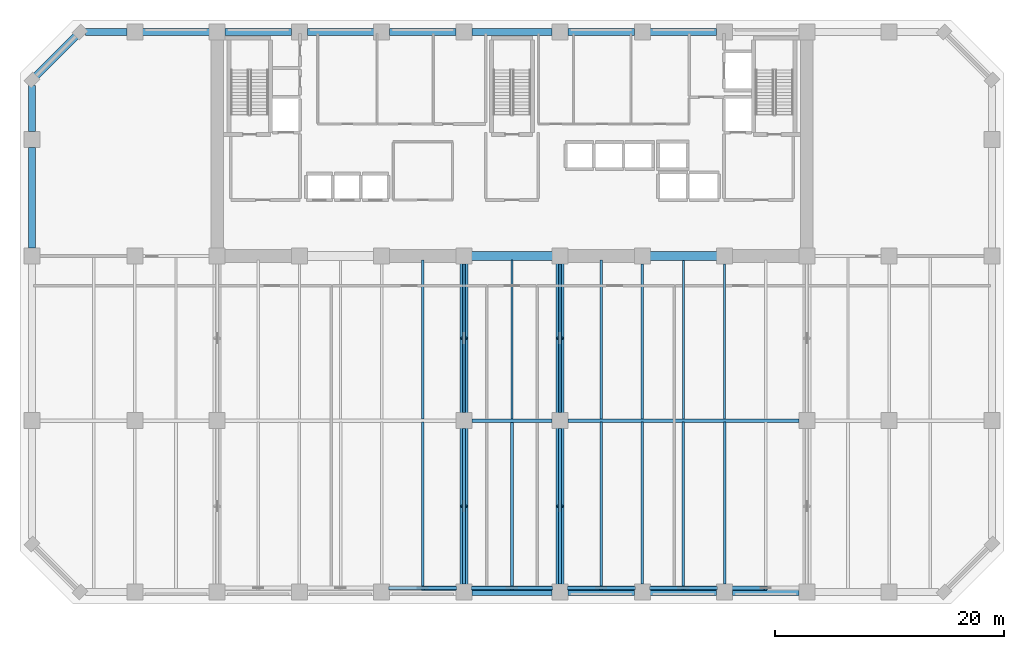
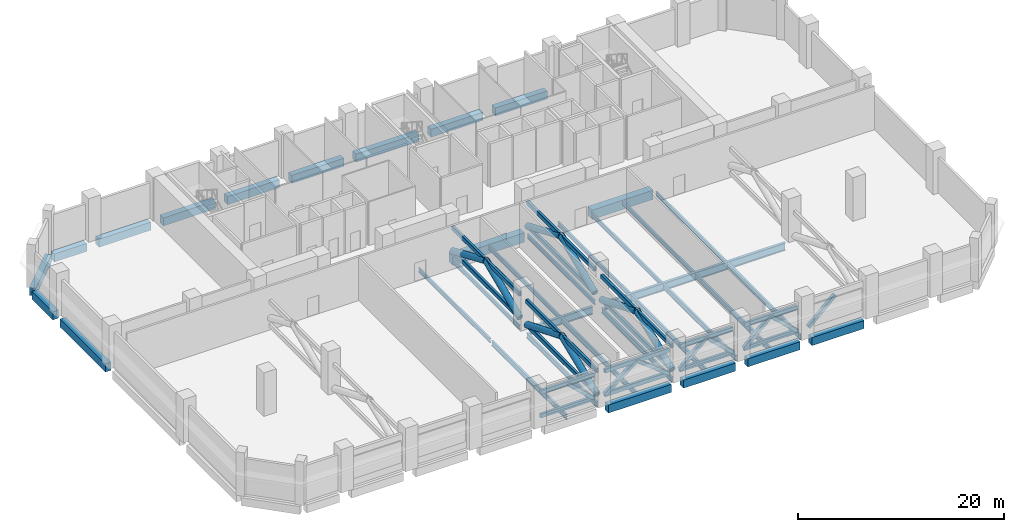
# One storey, part 2 of 15: 35 beams, 32 members.
"""IFC4 building model written with IfcOpenShell, lengths in metres."""

from ifc_helpers import new_model, si_unit, direction, frame, origin, origin_2d, place, context, subcontext, project, spatial, rectangle, hollow_rectangle, hollow_circle, i_section, extrude, material, material_profile, profile_set, type_object, element, save


model = new_model("IFC4")

# Units and contexts
model_context = context("Model", 3, precision=1e-05, world=origin(), true_north=direction((0.0, 1.0)))
body_context = subcontext(model_context, "Body", "Model", "MODEL_VIEW")
ifc_project = project(units=[si_unit("LENGTHUNIT", "METRE"), si_unit("AREAUNIT", "SQUARE_METRE"), si_unit("VOLUMEUNIT", "CUBIC_METRE"), si_unit("PLANEANGLEUNIT", "RADIAN"), si_unit("MASSUNIT", "GRAM", prefix="KILO")], contexts=[model_context])

# Site, building, storey
site_placement = place(None, origin())
site = spatial("IfcSite", under=ifc_project, at=site_placement, CompositionType="ELEMENT")
building_placement = place(site_placement, origin())
building = spatial("IfcBuilding", under=site, at=building_placement, Name="Kaelvorn Grand Hotel", CompositionType="ELEMENT")
storey_placement = place(building_placement, frame((0.0, 0.0, 80.14990234375)))
storey = spatial("IfcBuildingStorey", under=building, at=storey_placement, Name="L18", CompositionType="ELEMENT", Elevation=80.14990234375)

# Beams
ifc_material_1 = material(Name="Steel S460", Category="steel")
ifc_material_profile_1 = material_profile(ifc_material_1, i_section(OverallWidth=0.302001953125, OverallDepth=0.909912109375, WebThickness=0.02099609375, FlangeThickness=0.0400390625, FilletRadius=0.030029296875, at=origin_2d()), Name="HEM 900")
ifc_profile_set_1 = profile_set([ifc_material_profile_1], Name="Steel S460")
beam_type_1 = type_object("IfcBeamType", Name="BM-G-HEM900-S460", PredefinedType="BEAM", material=ifc_profile_set_1)
beam_1_placement = place(storey_placement, frame((38.485107421875, 15.0, -0.804931640625), z_axis=(1.0, 0.0, 0.0), x_axis=(0.0, 1.0, 0.0)))
element("IfcBeam", 1, at=beam_1_placement, inside=storey, type_object=beam_type_1, Name="L18 Primary Spine Steel Girder G-15 04", PredefinedType="BEAM", context=body_context, shape_type="SweptSolid", body=[
    extrude(i_section(OverallWidth=0.302001953125, OverallDepth=0.909912109375, WebThickness=0.02099609375, FlangeThickness=0.0400390625, FilletRadius=0.030029296875, at=origin_2d()), origin(), (0.0, 0.0, 1.0), 7.02978515625),
])
beam_2_placement = place(storey_placement, frame((46.885009765625, 15.0, -0.804931640625), z_axis=(1.0, 0.0, 0.0), x_axis=(0.0, 1.0, 0.0)))
element("IfcBeam", 2, at=beam_2_placement, inside=storey, type_object=beam_type_1, Name="L18 Primary Spine Steel Girder G-15 05", PredefinedType="BEAM", context=body_context, shape_type="SweptSolid", body=[
    extrude(i_section(OverallWidth=0.302001953125, OverallDepth=0.909912109375, WebThickness=0.02099609375, FlangeThickness=0.0400390625, FilletRadius=0.030029296875, at=origin_2d()), origin(), (0.0, 0.0, 1.0), 20.22998046875),
])
ifc_material_2 = material(Name="Steel S355", Category="steel")
ifc_material_profile_2 = material_profile(ifc_material_2, i_section(OverallWidth=0.199951171875, OverallDepth=0.5, WebThickness=0.01025390625, FlangeThickness=0.01611328125, FilletRadius=0.02099609375, at=origin_2d()), Name="IPE 500")
ifc_profile_set_2 = profile_set([ifc_material_profile_2], Name="Steel S355")
beam_type_2 = type_object("IfcBeamType", Name="BM-J-IPE500-S355", PredefinedType="JOIST", material=ifc_profile_set_2)
beam_3_placement = place(storey_placement, frame((34.199951171875, 15.135986328125, -0.599853515625), z_axis=(0.0, 1.0, 0.0), x_axis=(-1.0, 0.0, 0.0)))
element("IfcBeam", 3, at=beam_3_placement, inside=storey, type_object=beam_type_2, Name="L18 Composite Floor Joist JM-10", PredefinedType="JOIST", context=body_context, shape_type="SweptSolid", body=[
    extrude(i_section(OverallWidth=0.199951171875, OverallDepth=0.5, WebThickness=0.01025390625, FlangeThickness=0.01611328125, FilletRadius=0.02099609375, at=origin_2d()), origin(), (0.0, 0.0, 1.0), 13.924072265625),
])
beam_4_placement = place(storey_placement, frame((37.800048828125, 15.68505859375, -0.599853515625), z_axis=(0.0, 1.0, 0.0), x_axis=(-1.0, 0.0, 0.0)))
element("IfcBeam", 4, at=beam_4_placement, inside=storey, type_object=beam_type_2, Name="L18 Composite Floor Joist JM-11", PredefinedType="JOIST", context=body_context, shape_type="SweptSolid", body=[
    extrude(i_section(OverallWidth=0.199951171875, OverallDepth=0.5, WebThickness=0.01025390625, FlangeThickness=0.01611328125, FilletRadius=0.02099609375, at=origin_2d()), origin(), (0.0, 0.0, 1.0), 13.030029296875),
])
beam_5_placement = place(storey_placement, frame((42.0, 15.135986328125, -0.599853515625), z_axis=(0.0, 1.0, 0.0), x_axis=(-1.0, 0.0, 0.0)))
element("IfcBeam", 5, at=beam_5_placement, inside=storey, type_object=beam_type_2, Name="L18 Composite Floor Joist JM-12", PredefinedType="JOIST", context=body_context, shape_type="SweptSolid", body=[
    extrude(i_section(OverallWidth=0.199951171875, OverallDepth=0.5, WebThickness=0.01025390625, FlangeThickness=0.01611328125, FilletRadius=0.02099609375, at=origin_2d()), origin(), (0.0, 0.0, 1.0), 13.924072265625),
])
beam_6_placement = place(storey_placement, frame((46.199951171875, 15.68505859375, -0.599853515625), z_axis=(0.0, 1.0, 0.0), x_axis=(-1.0, 0.0, 0.0)))
element("IfcBeam", 6, at=beam_6_placement, inside=storey, type_object=beam_type_2, Name="L18 Composite Floor Joist JM-13", PredefinedType="JOIST", context=body_context, shape_type="SweptSolid", body=[
    extrude(i_section(OverallWidth=0.199951171875, OverallDepth=0.5, WebThickness=0.01025390625, FlangeThickness=0.01611328125, FilletRadius=0.02099609375, at=origin_2d()), origin(), (0.0, 0.0, 1.0), 13.030029296875),
])
beam_7_placement = place(storey_placement, frame((49.800048828125, 15.135986328125, -0.599853515625), z_axis=(0.0, 1.0, 0.0), x_axis=(-1.0, 0.0, 0.0)))
element("IfcBeam", 7, at=beam_7_placement, inside=storey, type_object=beam_type_2, Name="L18 Composite Floor Joist JM-14", PredefinedType="JOIST", context=body_context, shape_type="SweptSolid", body=[
    extrude(i_section(OverallWidth=0.199951171875, OverallDepth=0.5, WebThickness=0.01025390625, FlangeThickness=0.01611328125, FilletRadius=0.02099609375, at=origin_2d()), origin(), (0.0, 0.0, 1.0), 13.924072265625),
])
beam_8_placement = place(storey_placement, frame((53.39990234375, 15.135986328125, -0.599853515625), z_axis=(0.0, 1.0, 0.0), x_axis=(-1.0, 0.0, 0.0)))
element("IfcBeam", 8, at=beam_8_placement, inside=storey, type_object=beam_type_2, Name="L18 Composite Floor Joist JM-15", PredefinedType="JOIST", context=body_context, shape_type="SweptSolid", body=[
    extrude(i_section(OverallWidth=0.199951171875, OverallDepth=0.5, WebThickness=0.01025390625, FlangeThickness=0.01611328125, FilletRadius=0.02099609375, at=origin_2d()), origin(), (0.0, 0.0, 1.0), 13.5791015625),
])
beam_9_placement = place(storey_placement, frame((57.0, 15.135986328125, -0.599853515625), z_axis=(0.0, 1.0, 0.0), x_axis=(-1.0, 0.0, 0.0)))
element("IfcBeam", 9, at=beam_9_placement, inside=storey, type_object=beam_type_2, Name="L18 Composite Floor Joist JM-16", PredefinedType="JOIST", context=body_context, shape_type="SweptSolid", body=[
    extrude(i_section(OverallWidth=0.199951171875, OverallDepth=0.5, WebThickness=0.01025390625, FlangeThickness=0.01611328125, FilletRadius=0.02099609375, at=origin_2d()), origin(), (0.0, 0.0, 1.0), 13.924072265625),
])
beam_10_placement = place(storey_placement, frame((60.60009765625, 15.135986328125, -0.599853515625), z_axis=(0.0, 1.0, 0.0), x_axis=(-1.0, 0.0, 0.0)))
element("IfcBeam", 10, at=beam_10_placement, inside=storey, type_object=beam_type_2, Name="L18 Composite Floor Joist JM-17", PredefinedType="JOIST", context=body_context, shape_type="SweptSolid", body=[
    extrude(i_section(OverallWidth=0.199951171875, OverallDepth=0.5, WebThickness=0.01025390625, FlangeThickness=0.01611328125, FilletRadius=0.02099609375, at=origin_2d()), origin(), (0.0, 0.0, 1.0), 13.5791015625),
])
ifc_material_profile_3 = material_profile(ifc_material_2, i_section(OverallWidth=0.219970703125, OverallDepth=0.60009765625, WebThickness=0.011962890625, FlangeThickness=0.01904296875, FilletRadius=0.02392578125, at=origin_2d()), Name="IPE 600")
ifc_profile_set_3 = profile_set([ifc_material_profile_3], Name="Steel S355")
beam_type_3 = type_object("IfcBeamType", Name="BM-J-IPE600-S355", PredefinedType="JOIST", material=ifc_profile_set_3)
beam_11_placement = place(storey_placement, frame((34.199951171875, 0.31005859375, -0.64990234375), z_axis=(0.0, 1.0, 0.0), x_axis=(-1.0, 0.0, 0.0)))
element("IfcBeam", 11, at=beam_11_placement, inside=storey, type_object=beam_type_3, Name="L18 Composite Floor Joist JS-10", PredefinedType="JOIST", context=body_context, shape_type="SweptSolid", body=[
    extrude(i_section(OverallWidth=0.219970703125, OverallDepth=0.60009765625, WebThickness=0.011962890625, FlangeThickness=0.01904296875, FilletRadius=0.02392578125, at=origin_2d()), origin(), (0.0, 0.0, 1.0), 14.553955078125),
])
beam_12_placement = place(storey_placement, frame((37.800048828125, 0.68505859375, -0.64990234375), z_axis=(0.0, 1.0, 0.0), x_axis=(-1.0, 0.0, 0.0)))
element("IfcBeam", 12, at=beam_12_placement, inside=storey, type_object=beam_type_3, Name="L18 Composite Floor Joist JS-11", PredefinedType="JOIST", context=body_context, shape_type="SweptSolid", body=[
    extrude(i_section(OverallWidth=0.219970703125, OverallDepth=0.60009765625, WebThickness=0.011962890625, FlangeThickness=0.01904296875, FilletRadius=0.02392578125, at=origin_2d()), origin(), (0.0, 0.0, 1.0), 13.6298828125),
])
beam_13_placement = place(storey_placement, frame((42.0, 0.31005859375, -0.64990234375), z_axis=(0.0, 1.0, 0.0), x_axis=(-1.0, 0.0, 0.0)))
element("IfcBeam", 13, at=beam_13_placement, inside=storey, type_object=beam_type_3, Name="L18 Composite Floor Joist JS-12", PredefinedType="JOIST", context=body_context, shape_type="SweptSolid", body=[
    extrude(i_section(OverallWidth=0.219970703125, OverallDepth=0.60009765625, WebThickness=0.011962890625, FlangeThickness=0.01904296875, FilletRadius=0.02392578125, at=origin_2d()), origin(), (0.0, 0.0, 1.0), 14.553955078125),
])
beam_14_placement = place(storey_placement, frame((46.199951171875, 0.68505859375, -0.64990234375), z_axis=(0.0, 1.0, 0.0), x_axis=(-1.0, 0.0, 0.0)))
element("IfcBeam", 14, at=beam_14_placement, inside=storey, type_object=beam_type_3, Name="L18 Composite Floor Joist JS-13", PredefinedType="JOIST", context=body_context, shape_type="SweptSolid", body=[
    extrude(i_section(OverallWidth=0.219970703125, OverallDepth=0.60009765625, WebThickness=0.011962890625, FlangeThickness=0.01904296875, FilletRadius=0.02392578125, at=origin_2d()), origin(), (0.0, 0.0, 1.0), 13.6298828125),
])
beam_15_placement = place(storey_placement, frame((49.800048828125, 0.31005859375, -0.64990234375), z_axis=(0.0, 1.0, 0.0), x_axis=(-1.0, 0.0, 0.0)))
element("IfcBeam", 15, at=beam_15_placement, inside=storey, type_object=beam_type_3, Name="L18 Composite Floor Joist JS-14", PredefinedType="JOIST", context=body_context, shape_type="SweptSolid", body=[
    extrude(i_section(OverallWidth=0.219970703125, OverallDepth=0.60009765625, WebThickness=0.011962890625, FlangeThickness=0.01904296875, FilletRadius=0.02392578125, at=origin_2d()), origin(), (0.0, 0.0, 1.0), 14.553955078125),
])
beam_16_placement = place(storey_placement, frame((53.39990234375, 0.68505859375, -0.64990234375), z_axis=(0.0, 1.0, 0.0), x_axis=(-1.0, 0.0, 0.0)))
element("IfcBeam", 16, at=beam_16_placement, inside=storey, type_object=beam_type_3, Name="L18 Composite Floor Joist JS-15", PredefinedType="JOIST", context=body_context, shape_type="SweptSolid", body=[
    extrude(i_section(OverallWidth=0.219970703125, OverallDepth=0.60009765625, WebThickness=0.011962890625, FlangeThickness=0.01904296875, FilletRadius=0.02392578125, at=origin_2d()), origin(), (0.0, 0.0, 1.0), 14.178955078125),
])
beam_17_placement = place(storey_placement, frame((57.0, 0.31005859375, -0.64990234375), z_axis=(0.0, 1.0, 0.0), x_axis=(-1.0, 0.0, 0.0)))
element("IfcBeam", 17, at=beam_17_placement, inside=storey, type_object=beam_type_3, Name="L18 Composite Floor Joist JS-16", PredefinedType="JOIST", context=body_context, shape_type="SweptSolid", body=[
    extrude(i_section(OverallWidth=0.219970703125, OverallDepth=0.60009765625, WebThickness=0.011962890625, FlangeThickness=0.01904296875, FilletRadius=0.02392578125, at=origin_2d()), origin(), (0.0, 0.0, 1.0), 14.553955078125),
])
beam_18_placement = place(storey_placement, frame((60.60009765625, 0.68505859375, -0.64990234375), z_axis=(0.0, 1.0, 0.0), x_axis=(-1.0, 0.0, 0.0)))
element("IfcBeam", 18, at=beam_18_placement, inside=storey, type_object=beam_type_3, Name="L18 Composite Floor Joist JS-17", PredefinedType="JOIST", context=body_context, shape_type="SweptSolid", body=[
    extrude(i_section(OverallWidth=0.219970703125, OverallDepth=0.60009765625, WebThickness=0.011962890625, FlangeThickness=0.01904296875, FilletRadius=0.02392578125, at=origin_2d()), origin(), (0.0, 0.0, 1.0), 14.178955078125),
])
ifc_material_3 = material(Name="Concrete C60/75", Category="concrete")
ifc_material_profile_4 = material_profile(ifc_material_3, rectangle(XDim=0.800048828125, YDim=1.10009765625, at=origin_2d()), Name="RC LINTEL 800x1100")
ifc_profile_set_4 = profile_set([ifc_material_profile_4], Name="Concrete C60/75")
beam_type_4 = type_object("IfcBeamType", Name="BM-LIN-800x1100-C60", PredefinedType="LINTEL", material=ifc_profile_set_4)
beam_19_placement = place(storey_placement, frame((37.97998046875, 29.39990234375, -0.89990234375), z_axis=(1.0, 0.0, 0.0), x_axis=(0.0, 1.0, 0.0)))
element("IfcBeam", 19, at=beam_19_placement, inside=storey, type_object=beam_type_4, Name="L18 Rear-Core Coupling Lintel Beam CB1-02", PredefinedType="LINTEL", context=body_context, shape_type="SweptSolid", body=[
    extrude(rectangle(XDim=0.800048828125, YDim=1.10009765625, at=origin_2d()), origin(), (0.0, 0.0, 1.0), 8.0400390625),
])
beam_20_placement = place(storey_placement, frame((53.580078125, 29.39990234375, -0.89990234375), z_axis=(1.0, 0.0, 0.0), x_axis=(0.0, 1.0, 0.0)))
element("IfcBeam", 20, at=beam_20_placement, inside=storey, type_object=beam_type_4, Name="L18 Rear-Core Coupling Lintel Beam CB1-03", PredefinedType="LINTEL", context=body_context, shape_type="SweptSolid", body=[
    extrude(rectangle(XDim=0.800048828125, YDim=1.10009765625, at=origin_2d()), origin(), (0.0, 0.0, 1.0), 6.83984375),
])
ifc_material_profile_5 = material_profile(ifc_material_3, rectangle(XDim=0.64990234375, YDim=0.949951171875, at=origin_2d()), Name="RC SPANDREL 650x950")
ifc_profile_set_5 = profile_set([ifc_material_profile_5], Name="Concrete C60/75")
beam_type_5 = type_object("IfcBeamType", Name="BM-SP-650x950-C60", PredefinedType="SPANDREL", material=ifc_profile_set_5)
beam_21_placement = place(storey_placement, frame((38.485107421875, 0.0, -0.824951171875), z_axis=(1.0, 0.0, 0.0), x_axis=(0.0, 1.0, 0.0)))
element("IfcBeam", 21, at=beam_21_placement, inside=storey, type_object=beam_type_5, Name="L18 South Perimeter Spandrel 06", PredefinedType="SPANDREL", context=body_context, shape_type="SweptSolid", body=[
    extrude(rectangle(XDim=0.64990234375, YDim=0.949951171875, at=origin_2d()), origin(), (0.0, 0.0, 1.0), 7.02978515625),
])
for number, where, z_axis, x_axis, name in (
    (22, (46.885009765625, 0.0, -0.824951171875), (1.0, 0.0, 0.0), (0.0, 1.0, 0.0), "L18 South Perimeter Spandrel 07"),
    (23, (54.0849609375, 0.0, -0.824951171875), (1.0, 0.0, 0.0), (0.0, 1.0, 0.0), "L18 South Perimeter Spandrel 08"),
    (24, (61.284912109375, 0.0, -0.824951171875), (1.0, 0.0, 0.0), (0.0, 1.0, 0.0), "L18 South Perimeter Spandrel 09"),
):
    element("IfcBeam", number, at=place(storey_placement, frame(where, z_axis=z_axis, x_axis=x_axis)), inside=storey, type_object=beam_type_5, Name=name, PredefinedType="SPANDREL", context=body_context, shape_type="SweptSolid", body=[
        extrude(rectangle(XDim=0.64990234375, YDim=0.949951171875, at=origin_2d()), origin(), (0.0, 0.0, 1.0), 5.830078125),
    ])
beam_22_placement = place(storey_placement, frame((4.68505859375, 49.0, -0.824951171875), z_axis=(1.0, 0.0, 0.0), x_axis=(0.0, 1.0, 0.0)))
element("IfcBeam", 25, at=beam_22_placement, inside=storey, type_object=beam_type_5, Name="L18 North Perimeter Spandrel 01", PredefinedType="SPANDREL", context=body_context, shape_type="SweptSolid", body=[
    extrude(rectangle(XDim=0.64990234375, YDim=0.949951171875, at=origin_2d()), origin(), (0.0, 0.0, 1.0), 3.6298828125),
])
beam_23_placement = place(storey_placement, frame((9.68505859375, 49.0, -0.824951171875), z_axis=(1.0, 0.0, 0.0), x_axis=(0.0, 1.0, 0.0)))
element("IfcBeam", 26, at=beam_23_placement, inside=storey, type_object=beam_type_5, Name="L18 North Perimeter Spandrel 02", PredefinedType="SPANDREL", context=body_context, shape_type="SweptSolid", body=[
    extrude(rectangle(XDim=0.64990234375, YDim=0.949951171875, at=origin_2d()), origin(), (0.0, 0.0, 1.0), 5.829833984375),
])
for number, where, z_axis, x_axis, name in (
    (27, (16.885009765625, 49.0, -0.824951171875), (1.0, 0.0, 0.0), (0.0, 1.0, 0.0), "L18 North Perimeter Spandrel 03"),
    (28, (24.0849609375, 49.0, -0.824951171875), (1.0, 0.0, 0.0), (0.0, 1.0, 0.0), "L18 North Perimeter Spandrel 04"),
    (29, (31.284912109375, 49.0, -0.824951171875), (1.0, 0.0, 0.0), (0.0, 1.0, 0.0), "L18 North Perimeter Spandrel 05"),
):
    element("IfcBeam", number, at=place(storey_placement, frame(where, z_axis=z_axis, x_axis=x_axis)), inside=storey, type_object=beam_type_5, Name=name, PredefinedType="SPANDREL", context=body_context, shape_type="SweptSolid", body=[
        extrude(rectangle(XDim=0.64990234375, YDim=0.949951171875, at=origin_2d()), origin(), (0.0, 0.0, 1.0), 5.830078125),
    ])
beam_24_placement = place(storey_placement, frame((38.485107421875, 49.0, -0.824951171875), z_axis=(1.0, 0.0, 0.0), x_axis=(0.0, 1.0, 0.0)))
element("IfcBeam", 30, at=beam_24_placement, inside=storey, type_object=beam_type_5, Name="L18 North Perimeter Spandrel 06", PredefinedType="SPANDREL", context=body_context, shape_type="SweptSolid", body=[
    extrude(rectangle(XDim=0.64990234375, YDim=0.949951171875, at=origin_2d()), origin(), (0.0, 0.0, 1.0), 7.02978515625),
])
for number, where, z_axis, x_axis, name in (
    (31, (46.885009765625, 49.0, -0.824951171875), (1.0, 0.0, 0.0), (0.0, 1.0, 0.0), "L18 North Perimeter Spandrel 07"),
    (32, (54.0849609375, 49.0, -0.824951171875), (1.0, 0.0, 0.0), (0.0, 1.0, 0.0), "L18 North Perimeter Spandrel 08"),
):
    element("IfcBeam", number, at=place(storey_placement, frame(where, z_axis=z_axis, x_axis=x_axis)), inside=storey, type_object=beam_type_5, Name=name, PredefinedType="SPANDREL", context=body_context, shape_type="SweptSolid", body=[
        extrude(rectangle(XDim=0.64990234375, YDim=0.949951171875, at=origin_2d()), origin(), (0.0, 0.0, 1.0), 5.830078125),
    ])
beam_25_placement = place(storey_placement, frame((0.0, 30.0849609375, -0.824951171875), z_axis=(0.0, 1.0, 0.0), x_axis=(-1.0, 0.0, 0.0)))
element("IfcBeam", 33, at=beam_25_placement, inside=storey, type_object=beam_type_5, Name="L18 West Perimeter Spandrel 03", PredefinedType="SPANDREL", context=body_context, shape_type="SweptSolid", body=[
    extrude(rectangle(XDim=0.64990234375, YDim=0.949951171875, at=origin_2d()), origin(), (0.0, 0.0, 1.0), 8.830078125),
])
beam_26_placement = place(storey_placement, frame((0.0, 40.284912109375, -0.824951171875), z_axis=(0.0, 1.0, 0.0), x_axis=(-1.0, 0.0, 0.0)))
element("IfcBeam", 34, at=beam_26_placement, inside=storey, type_object=beam_type_5, Name="L18 West Perimeter Spandrel 04", PredefinedType="SPANDREL", context=body_context, shape_type="SweptSolid", body=[
    extrude(rectangle(XDim=0.64990234375, YDim=0.949951171875, at=origin_2d()), origin(), (0.0, 0.0, 1.0), 4.030029296875),
])
beam_27_placement = place(storey_placement, frame((4.199951171875, 49.0, -0.824951171875), z_axis=(-0.707106781187, -0.707106781187, 0.0), x_axis=(0.707106781187, -0.707106781187, 0.0)))
element("IfcBeam", 35, at=beam_27_placement, inside=storey, type_object=beam_type_5, Name="L18 Chamfer Spandrel Beam 3", PredefinedType="SPANDREL", context=body_context, shape_type="SweptSolid", body=[
    extrude(rectangle(XDim=0.64990234375, YDim=0.949951171875, at=origin_2d()), origin(), (0.0, 0.0, 1.0), 5.939697265625),
])

# Members
ifc_material_profile_6 = material_profile(ifc_material_1, hollow_rectangle(XDim=0.39990234375, YDim=0.39990234375, WallThickness=0.02001953125, InnerFilletRadius=0.02001953125, OuterFilletRadius=0.0400390625, at=origin_2d()), Name="SHS 400x400x20.0")
ifc_profile_set_6 = profile_set([ifc_material_profile_6], Name="Steel S460")
member_type_1 = type_object("IfcMemberType", Name="MB-BT-BRACE-SHS400", PredefinedType="BRACE", material=ifc_profile_set_6)
member_1_placement = place(storey_placement, frame((34.199951171875, 0.340087890625, 3.35009765625), z_axis=(0.729353016021, 0.0, -0.684137543203), x_axis=(0.0, 1.0, 0.0)))
element("IfcMember", 36, at=member_1_placement, inside=storey, type_object=member_type_1, Name="L18 Belt Truss Brace R3", PredefinedType="BRACE", context=body_context, shape_type="SweptSolid", body=[
    extrude(hollow_rectangle(XDim=0.39990234375, YDim=0.39990234375, WallThickness=0.02001953125, InnerFilletRadius=0.02001953125, OuterFilletRadius=0.0400390625, at=origin_2d()), origin(), (0.0, 0.0, 1.0), 4.0927734375),
])
for number, where, z_axis, x_axis, name in (
    (37, (38.4150390625, 0.340087890625, 0.550048828125), (0.788099226845, 0.0, 0.615548217971), (0.0, 1.0, 0.0), "L18 Belt Truss Brace L4"),
    (38, (42.0, 0.340087890625, 3.35009765625), (0.788099226845, 0.0, -0.615548217971), (0.0, 1.0, 0.0), "L18 Belt Truss Brace R4"),
):
    element("IfcMember", number, at=place(storey_placement, frame(where, z_axis=z_axis, x_axis=x_axis)), inside=storey, type_object=member_type_1, Name=name, PredefinedType="BRACE", context=body_context, shape_type="SweptSolid", body=[
        extrude(hollow_rectangle(XDim=0.39990234375, YDim=0.39990234375, WallThickness=0.02001953125, InnerFilletRadius=0.02001953125, OuterFilletRadius=0.0400390625, at=origin_2d()), origin(), (0.0, 0.0, 1.0), 4.548828125),
    ])
member_2_placement = place(storey_placement, frame((46.81494140625, 0.340087890625, 0.550048828125), z_axis=(0.729353016021, 0.0, 0.684137543203), x_axis=(0.0, 1.0, 0.0)))
element("IfcMember", 39, at=member_2_placement, inside=storey, type_object=member_type_1, Name="L18 Belt Truss Brace L5", PredefinedType="BRACE", context=body_context, shape_type="SweptSolid", body=[
    extrude(hollow_rectangle(XDim=0.39990234375, YDim=0.39990234375, WallThickness=0.02001953125, InnerFilletRadius=0.02001953125, OuterFilletRadius=0.0400390625, at=origin_2d()), origin(), (0.0, 0.0, 1.0), 4.0927734375),
])
member_3_placement = place(storey_placement, frame((49.800048828125, 0.340087890625, 3.35009765625), z_axis=(0.729325094887, 0.0, -0.684167308462), x_axis=(0.0, 1.0, 0.0)))
element("IfcMember", 40, at=member_3_placement, inside=storey, type_object=member_type_1, Name="L18 Belt Truss Brace R5", PredefinedType="BRACE", context=body_context, shape_type="SweptSolid", body=[
    extrude(hollow_rectangle(XDim=0.39990234375, YDim=0.39990234375, WallThickness=0.02001953125, InnerFilletRadius=0.02001953125, OuterFilletRadius=0.0400390625, at=origin_2d()), origin(), (0.0, 0.0, 1.0), 4.092529296875),
])
for number, where, z_axis, x_axis, name in (
    (41, (54.014892578125, 0.340087890625, 0.550048828125), (0.729353016021, 0.0, 0.684137543203), (0.0, 1.0, 0.0), "L18 Belt Truss Brace L6"),
    (42, (57.0, 0.340087890625, 3.35009765625), (0.729353016021, 0.0, -0.684137543203), (0.0, 1.0, 0.0), "L18 Belt Truss Brace R6"),
):
    element("IfcMember", number, at=place(storey_placement, frame(where, z_axis=z_axis, x_axis=x_axis)), inside=storey, type_object=member_type_1, Name=name, PredefinedType="BRACE", context=body_context, shape_type="SweptSolid", body=[
        extrude(hollow_rectangle(XDim=0.39990234375, YDim=0.39990234375, WallThickness=0.02001953125, InnerFilletRadius=0.02001953125, OuterFilletRadius=0.0400390625, at=origin_2d()), origin(), (0.0, 0.0, 1.0), 4.0927734375),
    ])
member_4_placement = place(storey_placement, frame((61.215087890625, 0.340087890625, 0.550048828125), z_axis=(0.729325094887, 0.0, 0.684167308462), x_axis=(0.0, 1.0, 0.0)))
element("IfcMember", 43, at=member_4_placement, inside=storey, type_object=member_type_1, Name="L18 Belt Truss Brace L7", PredefinedType="BRACE", context=body_context, shape_type="SweptSolid", body=[
    extrude(hollow_rectangle(XDim=0.39990234375, YDim=0.39990234375, WallThickness=0.02001953125, InnerFilletRadius=0.02001953125, OuterFilletRadius=0.0400390625, at=origin_2d()), origin(), (0.0, 0.0, 1.0), 4.092529296875),
])
ifc_material_profile_7 = material_profile(ifc_material_1, hollow_circle(Radius=0.35546875, WallThickness=0.031982421875, at=origin_2d()), Name="CHS 711.0x32.0")
ifc_profile_set_7 = profile_set([ifc_material_profile_7], Name="Steel S460")
member_type_2 = type_object("IfcMemberType", Name="MB-OR-BRACE-CHS711", PredefinedType="BRACE", material=ifc_profile_set_7)
for number, where, z_axis, x_axis, name in (
    (44, (37.800048828125, 0.68505859375, 0.550048828125), (0.0, 0.924969486333, 0.380041378475), (-1.0, 0.0, 0.0), "L18 Outrigger Brace Diagonal A2.1"),
    (45, (37.800048828125, 7.5, 3.35009765625), (0.0, 0.924969486333, -0.380041378475), (-1.0, 0.0, 0.0), "L18 Outrigger Brace Diagonal B2.1"),
):
    element("IfcMember", number, at=place(storey_placement, frame(where, z_axis=z_axis, x_axis=x_axis)), inside=storey, type_object=member_type_2, Name=name, PredefinedType="BRACE", context=body_context, shape_type="SweptSolid", body=[
        extrude(hollow_circle(Radius=0.35546875, WallThickness=0.031982421875, at=origin_2d()), origin(), (0.0, 0.0, 1.0), 7.36767578125),
    ])
member_5_placement = place(storey_placement, frame((37.800048828125, 15.68505859375, 0.550048828125), z_axis=(0.0, 0.918738516718, 0.394866481103), x_axis=(-1.0, 0.0, 0.0)))
element("IfcMember", 46, at=member_5_placement, inside=storey, type_object=member_type_2, Name="L18 Outrigger Brace Diagonal A2.2", PredefinedType="BRACE", context=body_context, shape_type="SweptSolid", body=[
    extrude(hollow_circle(Radius=0.35546875, WallThickness=0.031982421875, at=origin_2d()), origin(), (0.0, 0.0, 1.0), 7.091064453125),
])
member_6_placement = place(storey_placement, frame((37.800048828125, 22.199951171875, 3.35009765625), z_axis=(0.0, 0.918743884621, -0.394853991333), x_axis=(-1.0, 0.0, 0.0)))
element("IfcMember", 47, at=member_6_placement, inside=storey, type_object=member_type_2, Name="L18 Outrigger Brace Diagonal B2.2", PredefinedType="BRACE", context=body_context, shape_type="SweptSolid", body=[
    extrude(hollow_circle(Radius=0.35546875, WallThickness=0.031982421875, at=origin_2d()), origin(), (0.0, 0.0, 1.0), 7.09130859375),
])
for number, where, z_axis, x_axis, name in (
    (48, (46.199951171875, 0.68505859375, 0.550048828125), (0.0, 0.924969486333, 0.380041378475), (-1.0, 0.0, 0.0), "L18 Outrigger Brace Diagonal A3.1"),
    (49, (46.199951171875, 7.5, 3.35009765625), (0.0, 0.924969486333, -0.380041378475), (-1.0, 0.0, 0.0), "L18 Outrigger Brace Diagonal B3.1"),
):
    element("IfcMember", number, at=place(storey_placement, frame(where, z_axis=z_axis, x_axis=x_axis)), inside=storey, type_object=member_type_2, Name=name, PredefinedType="BRACE", context=body_context, shape_type="SweptSolid", body=[
        extrude(hollow_circle(Radius=0.35546875, WallThickness=0.031982421875, at=origin_2d()), origin(), (0.0, 0.0, 1.0), 7.36767578125),
    ])
member_7_placement = place(storey_placement, frame((46.199951171875, 15.68505859375, 0.550048828125), z_axis=(0.0, 0.918738516718, 0.394866481103), x_axis=(-1.0, 0.0, 0.0)))
element("IfcMember", 50, at=member_7_placement, inside=storey, type_object=member_type_2, Name="L18 Outrigger Brace Diagonal A3.2", PredefinedType="BRACE", context=body_context, shape_type="SweptSolid", body=[
    extrude(hollow_circle(Radius=0.35546875, WallThickness=0.031982421875, at=origin_2d()), origin(), (0.0, 0.0, 1.0), 7.091064453125),
])
member_8_placement = place(storey_placement, frame((46.199951171875, 22.199951171875, 3.35009765625), z_axis=(0.0, 0.918743884621, -0.394853991333), x_axis=(-1.0, 0.0, 0.0)))
element("IfcMember", 51, at=member_8_placement, inside=storey, type_object=member_type_2, Name="L18 Outrigger Brace Diagonal B3.2", PredefinedType="BRACE", context=body_context, shape_type="SweptSolid", body=[
    extrude(hollow_circle(Radius=0.35546875, WallThickness=0.031982421875, at=origin_2d()), origin(), (0.0, 0.0, 1.0), 7.09130859375),
])
ifc_material_profile_8 = material_profile(ifc_material_1, hollow_rectangle(XDim=0.300048828125, YDim=0.5, WallThickness=0.02001953125, InnerFilletRadius=0.02001953125, OuterFilletRadius=0.0400390625, at=origin_2d()), Name="RHS 500x300x20.0")
ifc_profile_set_8 = profile_set([ifc_material_profile_8], Name="Steel S460")
member_type_3 = type_object("IfcMemberType", Name="MB-OR-CHORD-RHS500", PredefinedType="CHORD", material=ifc_profile_set_8)
for number, where, z_axis, x_axis, name in (
    (52, (37.800048828125, 0.68505859375, 0.550048828125), (0.0, 1.0, 0.0), (-1.0, 0.0, 0.0), "L18 Outrigger Bottom Chord OC-2.1"),
    (53, (37.800048828125, 0.68505859375, 3.35009765625), (0.0, 1.0, 0.0), (-1.0, 0.0, 0.0), "L18 Outrigger Top Chord OC-2.1"),
):
    element("IfcMember", number, at=place(storey_placement, frame(where, z_axis=z_axis, x_axis=x_axis)), inside=storey, type_object=member_type_3, Name=name, PredefinedType="CHORD", context=body_context, shape_type="SweptSolid", body=[
        extrude(hollow_rectangle(XDim=0.300048828125, YDim=0.5, WallThickness=0.02001953125, InnerFilletRadius=0.02001953125, OuterFilletRadius=0.0400390625, at=origin_2d()), origin(), (0.0, 0.0, 1.0), 13.6298828125),
    ])
for number, where, z_axis, x_axis, name in (
    (54, (37.800048828125, 15.68505859375, 0.550048828125), (0.0, 1.0, 0.0), (-1.0, 0.0, 0.0), "L18 Outrigger Bottom Chord OC-2.2"),
    (55, (37.800048828125, 15.68505859375, 3.35009765625), (0.0, 1.0, 0.0), (-1.0, 0.0, 0.0), "L18 Outrigger Top Chord OC-2.2"),
):
    element("IfcMember", number, at=place(storey_placement, frame(where, z_axis=z_axis, x_axis=x_axis)), inside=storey, type_object=member_type_3, Name=name, PredefinedType="CHORD", context=body_context, shape_type="SweptSolid", body=[
        extrude(hollow_rectangle(XDim=0.300048828125, YDim=0.5, WallThickness=0.02001953125, InnerFilletRadius=0.02001953125, OuterFilletRadius=0.0400390625, at=origin_2d()), origin(), (0.0, 0.0, 1.0), 13.030029296875),
    ])
for number, where, z_axis, x_axis, name in (
    (56, (46.199951171875, 0.68505859375, 0.550048828125), (0.0, 1.0, 0.0), (-1.0, 0.0, 0.0), "L18 Outrigger Bottom Chord OC-3.1"),
    (57, (46.199951171875, 0.68505859375, 3.35009765625), (0.0, 1.0, 0.0), (-1.0, 0.0, 0.0), "L18 Outrigger Top Chord OC-3.1"),
):
    element("IfcMember", number, at=place(storey_placement, frame(where, z_axis=z_axis, x_axis=x_axis)), inside=storey, type_object=member_type_3, Name=name, PredefinedType="CHORD", context=body_context, shape_type="SweptSolid", body=[
        extrude(hollow_rectangle(XDim=0.300048828125, YDim=0.5, WallThickness=0.02001953125, InnerFilletRadius=0.02001953125, OuterFilletRadius=0.0400390625, at=origin_2d()), origin(), (0.0, 0.0, 1.0), 13.6298828125),
    ])
for number, where, z_axis, x_axis, name in (
    (58, (46.199951171875, 15.68505859375, 0.550048828125), (0.0, 1.0, 0.0), (-1.0, 0.0, 0.0), "L18 Outrigger Bottom Chord OC-3.2"),
    (59, (46.199951171875, 15.68505859375, 3.35009765625), (0.0, 1.0, 0.0), (-1.0, 0.0, 0.0), "L18 Outrigger Top Chord OC-3.2"),
):
    element("IfcMember", number, at=place(storey_placement, frame(where, z_axis=z_axis, x_axis=x_axis)), inside=storey, type_object=member_type_3, Name=name, PredefinedType="CHORD", context=body_context, shape_type="SweptSolid", body=[
        extrude(hollow_rectangle(XDim=0.300048828125, YDim=0.5, WallThickness=0.02001953125, InnerFilletRadius=0.02001953125, OuterFilletRadius=0.0400390625, at=origin_2d()), origin(), (0.0, 0.0, 1.0), 13.030029296875),
    ])
for number, where, z_axis, x_axis, name in (
    (60, (31.215087890625, 0.340087890625, 0.550048828125), (1.0, 0.0, 0.0), (0.0, 1.0, 0.0), "L18 Belt Truss Bottom Chord 3"),
    (61, (31.215087890625, 0.340087890625, 3.35009765625), (1.0, 0.0, 0.0), (0.0, 1.0, 0.0), "L18 Belt Truss Top Chord 3"),
):
    element("IfcMember", number, at=place(storey_placement, frame(where, z_axis=z_axis, x_axis=x_axis)), inside=storey, type_object=member_type_3, Name=name, PredefinedType="CHORD", context=body_context, shape_type="SweptSolid", body=[
        extrude(hollow_rectangle(XDim=0.300048828125, YDim=0.5, WallThickness=0.02001953125, InnerFilletRadius=0.02001953125, OuterFilletRadius=0.0400390625, at=origin_2d()), origin(), (0.0, 0.0, 1.0), 5.969970703125),
    ])
for number, where, z_axis, x_axis, name in (
    (62, (38.4150390625, 0.340087890625, 0.550048828125), (1.0, 0.0, 0.0), (0.0, 1.0, 0.0), "L18 Belt Truss Bottom Chord 4"),
    (63, (38.4150390625, 0.340087890625, 3.35009765625), (1.0, 0.0, 0.0), (0.0, 1.0, 0.0), "L18 Belt Truss Top Chord 4"),
):
    element("IfcMember", number, at=place(storey_placement, frame(where, z_axis=z_axis, x_axis=x_axis)), inside=storey, type_object=member_type_3, Name=name, PredefinedType="CHORD", context=body_context, shape_type="SweptSolid", body=[
        extrude(hollow_rectangle(XDim=0.300048828125, YDim=0.5, WallThickness=0.02001953125, InnerFilletRadius=0.02001953125, OuterFilletRadius=0.0400390625, at=origin_2d()), origin(), (0.0, 0.0, 1.0), 7.169921875),
    ])
for number, where, z_axis, x_axis, name in (
    (64, (46.81494140625, 0.340087890625, 0.550048828125), (1.0, 0.0, 0.0), (0.0, 1.0, 0.0), "L18 Belt Truss Bottom Chord 5"),
    (65, (46.81494140625, 0.340087890625, 3.35009765625), (1.0, 0.0, 0.0), (0.0, 1.0, 0.0), "L18 Belt Truss Top Chord 5"),
):
    element("IfcMember", number, at=place(storey_placement, frame(where, z_axis=z_axis, x_axis=x_axis)), inside=storey, type_object=member_type_3, Name=name, PredefinedType="CHORD", context=body_context, shape_type="SweptSolid", body=[
        extrude(hollow_rectangle(XDim=0.300048828125, YDim=0.5, WallThickness=0.02001953125, InnerFilletRadius=0.02001953125, OuterFilletRadius=0.0400390625, at=origin_2d()), origin(), (0.0, 0.0, 1.0), 5.969970703125),
    ])
for number, where, z_axis, x_axis, name in (
    (66, (54.014892578125, 0.340087890625, 0.550048828125), (1.0, 0.0, 0.0), (0.0, 1.0, 0.0), "L18 Belt Truss Bottom Chord 6"),
    (67, (54.014892578125, 0.340087890625, 3.35009765625), (1.0, 0.0, 0.0), (0.0, 1.0, 0.0), "L18 Belt Truss Top Chord 6"),
):
    element("IfcMember", number, at=place(storey_placement, frame(where, z_axis=z_axis, x_axis=x_axis)), inside=storey, type_object=member_type_3, Name=name, PredefinedType="CHORD", context=body_context, shape_type="SweptSolid", body=[
        extrude(hollow_rectangle(XDim=0.300048828125, YDim=0.5, WallThickness=0.02001953125, InnerFilletRadius=0.02001953125, OuterFilletRadius=0.0400390625, at=origin_2d()), origin(), (0.0, 0.0, 1.0), 5.97021484375),
    ])

save(model, "model.ifc")
